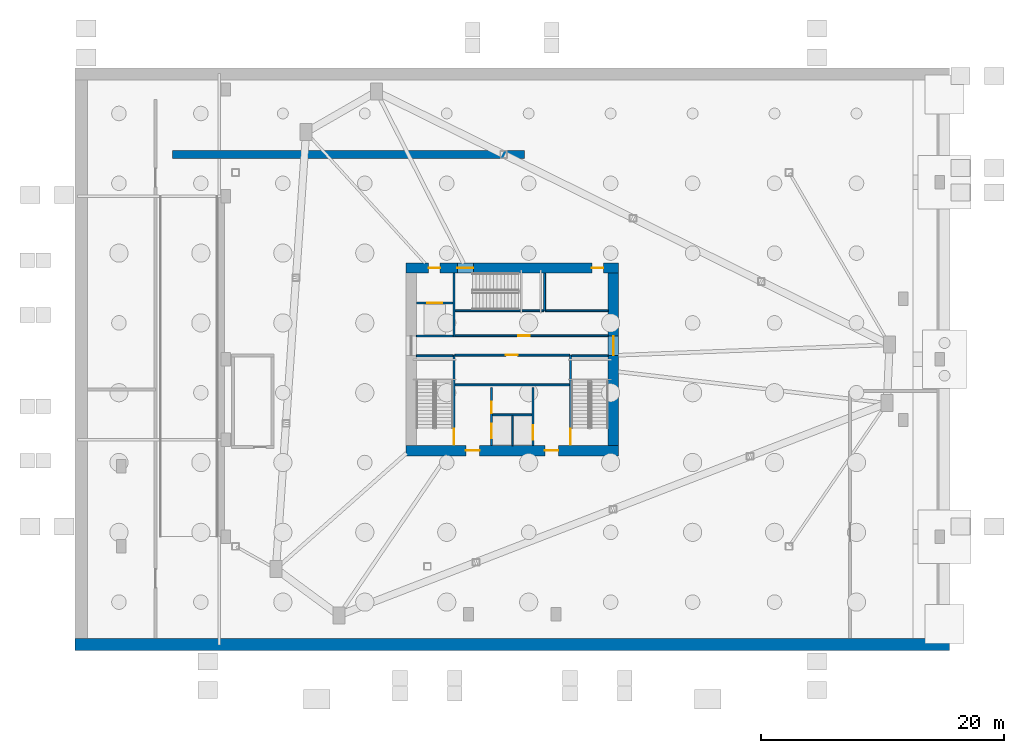
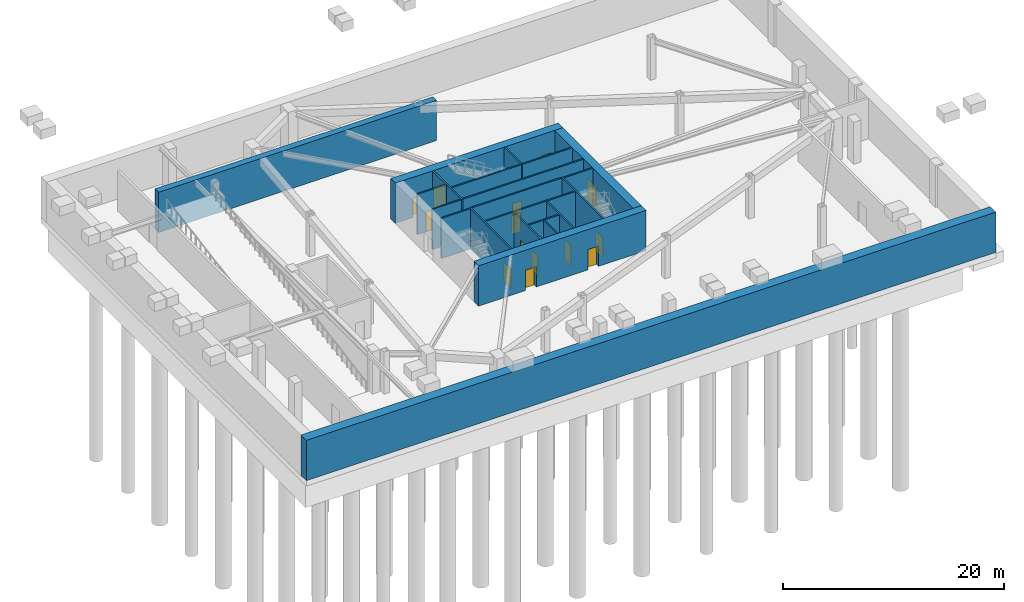
# One storey, part 4 of 9: 22 walls, 14 doors, 14 openings.
"""IFC4 building model written with IfcOpenShell, lengths in metres."""

from ifc_helpers import new_model, si_unit, direction, frame, frame_2d, origin, place, context, subcontext, project, spatial, rectangle, extrude, source, transform, mapped, material, layer, layer_set, type_object, type_shapes, element, fill, save


model = new_model("IFC4")

# Units and contexts
model_context = context("Model", 3, precision=1e-05, world=origin(), true_north=direction((0.0, 1.0)))
body_context = subcontext(model_context, "Body", "Model", "MODEL_VIEW")
ifc_project = project(units=[si_unit("LENGTHUNIT", "METRE"), si_unit("AREAUNIT", "SQUARE_METRE"), si_unit("VOLUMEUNIT", "CUBIC_METRE"), si_unit("PLANEANGLEUNIT", "RADIAN"), si_unit("MASSUNIT", "GRAM", prefix="KILO")], contexts=[model_context])

# Site, building, storey
site_placement = place(None, origin())
site = spatial("IfcSite", under=ifc_project, at=site_placement, CompositionType="ELEMENT")
building_placement = place(site_placement, origin())
building = spatial("IfcBuilding", under=site, at=building_placement, Name="Olszyna Solenne Hotel", CompositionType="ELEMENT")
storey_placement = place(building_placement, frame((0.0, 0.0, -9.60009765625)))
storey = spatial("IfcBuildingStorey", under=building, at=storey_placement, Name="B02", CompositionType="ELEMENT", Elevation=-9.60009765625)

# Wall, openings, doors
ifc_material_1 = material(Name="Concrete C60/75", Category="concrete")
ifc_layer_1 = layer(ifc_material_1, 0.85009765625, Name="Concrete C60/75")
ifc_layer_set_1 = layer_set([ifc_layer_1], Name="Concrete C60/75")
wall_type_1 = type_object("IfcWallType", Name="WL-CR850", PredefinedType="SHEAR", material=ifc_layer_set_1)
wall_1_placement = place(storey_placement, frame((46.75, 19.074951171875, 0.0), z_axis=(0.0, 0.0, 1.0), x_axis=(-1.0, 0.0, 0.0)))
wall_1 = element("IfcWall", 1, at=wall_1_placement, inside=storey, type_object=wall_type_1, Name="Core shear wall WL-CR850 CRW-B02-S", PredefinedType="SHEAR", context=body_context, shape_type="SweptSolid", body=[
    extrude(rectangle(XDim=17.5, YDim=0.85009765625, at=frame_2d((8.75, 0.0))), origin(), (0.0, 0.0, 1.0), 4.4501953125),
])
opening_1_placement = place(wall_1_placement, frame((4.949951171875, 0.0, 0.0)))
opening_1 = element("IfcOpeningElement", 2, at=opening_1_placement, cuts=wall_1, Name="Opening FL-B02-1", PredefinedType="OPENING", context=body_context, shape_type="SweptSolid", body=[
    extrude(rectangle(XDim=1.1201171875, YDim=2.25, at=frame_2d((0.56005859375, 1.125))), frame((0.0, 0.43505859375, 0.0), z_axis=(0.0, -1.0, 0.0), x_axis=(1.0, 0.0, 0.0)), (0.0, 0.0, 1.0), 0.8701171875),
])
opening_2_placement = place(wall_1_placement, frame((11.449951171875, 0.0, 0.0)))
opening_2 = element("IfcOpeningElement", 3, at=opening_2_placement, cuts=wall_1, Name="Opening FL-B02-2", PredefinedType="OPENING", context=body_context, shape_type="SweptSolid", body=[
    extrude(rectangle(XDim=1.1201171875, YDim=2.25, at=frame_2d((0.56005859375, 1.125))), frame((0.0, 0.43505859375, 0.0), z_axis=(0.0, -1.0, 0.0), x_axis=(1.0, 0.0, 0.0)), (0.0, 0.0, 1.0), 0.8701171875),
])
ifc_material_2 = material(Name="Steel S355J2", Category="steel")
door_type_1 = type_object("IfcDoorType", Name="DR-FL1", OperationType="NOTDEFINED", PredefinedType="DOOR", material=ifc_material_2)
shared_shape_1 = source(origin(), body_context, "Body", "SweptSolid", [
    extrude(rectangle(XDim=1.1201171875, YDim=2.25, at=frame_2d((0.56005859375, 1.125))), frame((0.0, 0.02490234375, 0.0), z_axis=(0.0, -1.0, 0.0), x_axis=(1.0, 0.0, 0.0)), (0.0, 0.0, 1.0), 0.050048828125),
])
type_shapes(door_type_1, [shared_shape_1])
door_1_placement = place(opening_1_placement, origin())
door_1 = element("IfcDoor", 4, at=door_1_placement, inside=storey, type_object=door_type_1, Name="Firefighting lift lobby smoke door FL-B02-1", OperationType="SINGLE_SWING_LEFT", OverallHeight=2.25, OverallWidth=1.1201171875, PredefinedType="DOOR", context=body_context, shape_type="MappedRepresentation", body=[
    mapped(shared_shape_1, transform((0.0, 0.0, 0.0), x_axis=(1.0, 0.0, 0.0), y_axis=(0.0, 1.0, 0.0), z_axis=(0.0, 0.0, 1.0), scale=1.0)),
])
fill(opening_1, door_1)
door_2_placement = place(opening_2_placement, origin())
door_2 = element("IfcDoor", 5, at=door_2_placement, inside=storey, type_object=door_type_1, Name="Firefighting lift lobby smoke door FL-B02-2", OperationType="SINGLE_SWING_RIGHT", OverallHeight=2.25, OverallWidth=1.1201171875, PredefinedType="DOOR", context=body_context, shape_type="MappedRepresentation", body=[
    mapped(shared_shape_1, transform((0.0, 0.0, 0.0), x_axis=(1.0, 0.0, 0.0), y_axis=(0.0, 1.0, 0.0), z_axis=(0.0, 0.0, 1.0), scale=1.0)),
])
fill(opening_2, door_2)

wall_2_placement = place(storey_placement, frame((29.25, 34.125, 0.0), z_axis=(0.0, 0.0, 1.0), x_axis=(1.0, 0.0, 0.0)))
wall_2 = element("IfcWall", 6, at=wall_2_placement, inside=storey, type_object=wall_type_1, Name="Core shear wall WL-CR850 CRW-B02-N", PredefinedType="SHEAR", context=body_context, shape_type="SweptSolid", body=[
    extrude(rectangle(XDim=17.5, YDim=0.85009765625, at=frame_2d((8.75, 0.0))), origin(), (0.0, 0.0, 1.0), 4.4501953125),
])
opening_3_placement = place(wall_2_placement, frame((1.85009765625, 0.0, 0.0)))
opening_3 = element("IfcOpeningElement", 7, at=opening_3_placement, cuts=wall_2, Name="Opening SVD-B02-01", PredefinedType="OPENING", context=body_context, shape_type="SweptSolid", body=[
    extrude(rectangle(XDim=0.949951171875, YDim=2.10009765625, at=frame_2d((0.47509765625, 1.050048828125))), frame((0.0, 0.43505859375, 0.0), z_axis=(0.0, -1.0, 0.0), x_axis=(1.0, 0.0, 0.0)), (0.0, 0.0, 1.0), 0.8701171875),
])
opening_4_placement = place(wall_2_placement, frame((4.22998046875, 0.0, 0.0)))
opening_4 = element("IfcOpeningElement", 8, at=opening_4_placement, cuts=wall_2, Name="Opening STD-B02-03", PredefinedType="OPENING", context=body_context, shape_type="SweptSolid", body=[
    extrude(rectangle(XDim=1.320068359375, YDim=2.199951171875, at=frame_2d((0.66015625, 1.10009765625))), frame((0.0, 0.43505859375, 0.0), z_axis=(0.0, -1.0, 0.0), x_axis=(1.0, 0.0, 0.0)), (0.0, 0.0, 1.0), 0.8701171875),
])
opening_5_placement = place(wall_2_placement, frame((15.300048828125, 0.0, 0.0)))
opening_5 = element("IfcOpeningElement", 9, at=opening_5_placement, cuts=wall_2, Name="Opening SVD-B02-BN", PredefinedType="OPENING", context=body_context, shape_type="SweptSolid", body=[
    extrude(rectangle(XDim=0.949951171875, YDim=2.10009765625, at=frame_2d((0.47509765625, 1.050048828125))), frame((0.0, 0.43505859375, 0.0), z_axis=(0.0, -1.0, 0.0), x_axis=(1.0, 0.0, 0.0)), (0.0, 0.0, 1.0), 0.8701171875),
])
door_type_2 = type_object("IfcDoorType", Name="DR-ST1", OperationType="NOTDEFINED", PredefinedType="DOOR", material=ifc_material_2)
shared_shape_2 = source(origin(), body_context, "Body", "SweptSolid", [
    extrude(rectangle(XDim=1.320068359375, YDim=2.199951171875, at=frame_2d((0.66015625, 1.10009765625))), frame((0.0, 0.02490234375, 0.0), z_axis=(0.0, -1.0, 0.0), x_axis=(1.0, 0.0, 0.0)), (0.0, 0.0, 1.0), 0.050048828125),
])
type_shapes(door_type_2, [shared_shape_2])
door_3_placement = place(opening_4_placement, origin())
door_3 = element("IfcDoor", 10, at=door_3_placement, inside=storey, type_object=door_type_2, Name="Pressurised exit stair ST3 fire door STD-B02-03", OperationType="SINGLE_SWING_RIGHT", OverallHeight=2.199951171875, OverallWidth=1.320068359375, PredefinedType="DOOR", context=body_context, shape_type="MappedRepresentation", body=[
    mapped(shared_shape_2, transform((0.0, 0.0, 0.0), x_axis=(1.0, 0.0, 0.0), y_axis=(0.0, 1.0, 0.0), z_axis=(0.0, 0.0, 1.0), scale=1.0)),
])
fill(opening_4, door_3)
door_type_3 = type_object("IfcDoorType", Name="DR-SV1", OperationType="NOTDEFINED", PredefinedType="DOOR", material=ifc_material_2)
shared_shape_3 = source(origin(), body_context, "Body", "SweptSolid", [
    extrude(rectangle(XDim=0.949951171875, YDim=2.10009765625, at=frame_2d((0.47509765625, 1.050048828125))), frame((0.0, 0.02490234375, 0.0), z_axis=(0.0, -1.0, 0.0), x_axis=(1.0, 0.0, 0.0)), (0.0, 0.0, 1.0), 0.050048828125),
])
type_shapes(door_type_3, [shared_shape_3])
door_4_placement = place(opening_3_placement, origin())
door_4 = element("IfcDoor", 11, at=door_4_placement, inside=storey, type_object=door_type_3, Name="Service lift lobby fire door SVD-B02-01", OperationType="SINGLE_SWING_LEFT", OverallHeight=2.10009765625, OverallWidth=0.949951171875, PredefinedType="DOOR", context=body_context, shape_type="MappedRepresentation", body=[
    mapped(shared_shape_3, transform((0.0, 0.0, 0.0), x_axis=(1.0, 0.0, 0.0), y_axis=(0.0, 1.0, 0.0), z_axis=(0.0, 0.0, 1.0), scale=1.0)),
])
fill(opening_3, door_4)
door_5_placement = place(opening_5_placement, origin())
door_5 = element("IfcDoor", 12, at=door_5_placement, inside=storey, type_object=door_type_3, Name="Housekeeping core fire door SVD-B02-BN", OperationType="SINGLE_SWING_LEFT", OverallHeight=2.10009765625, OverallWidth=0.949951171875, PredefinedType="DOOR", context=body_context, shape_type="MappedRepresentation", body=[
    mapped(shared_shape_3, transform((0.0, 0.0, 0.0), x_axis=(1.0, 0.0, 0.0), y_axis=(0.0, 1.0, 0.0), z_axis=(0.0, 0.0, 1.0), scale=1.0)),
])
fill(opening_5, door_5)

# Wall, opening, door
wall_3_placement = place(storey_placement, frame((46.324951171875, 33.699951171875, 0.0), z_axis=(0.0, 0.0, 1.0), x_axis=(0.0, -1.0, 0.0)))
wall_3 = element("IfcWall", 13, at=wall_3_placement, inside=storey, type_object=wall_type_1, Name="Core shear wall WL-CR850 CRW-B02-E", PredefinedType="SHEAR", context=body_context, shape_type="SweptSolid", body=[
    extrude(rectangle(XDim=14.199951171875, YDim=0.85009765625, at=frame_2d((7.10009765625, 0.0))), origin(), (0.0, 0.0, 1.0), 4.4501953125),
])
opening_6_placement = place(wall_3_placement, frame((5.179931640625, 0.0, 0.0)))
opening_6 = element("IfcOpeningElement", 14, at=opening_6_placement, cuts=wall_3, Name="Opening LHD-B02-E", PredefinedType="OPENING", context=body_context, shape_type="SweptSolid", body=[
    extrude(rectangle(XDim=1.60009765625, YDim=2.199951171875, at=frame_2d((0.800048828125, 1.10009765625))), frame((0.0, 0.43505859375, 0.0), z_axis=(0.0, -1.0, 0.0), x_axis=(1.0, 0.0, 0.0)), (0.0, 0.0, 1.0), 0.8701171875),
])
ifc_material_3 = material(Name="Timber hardwood", Category="wood")
door_type_4 = type_object("IfcDoorType", Name="DR-CR1", OperationType="DOUBLE_DOOR_SINGLE_SWING", PredefinedType="DOOR", material=ifc_material_3)
shared_shape_4 = source(origin(), body_context, "Body", "SweptSolid", [
    extrude(rectangle(XDim=1.60009765625, YDim=2.199951171875, at=frame_2d((0.800048828125, 1.10009765625))), frame((0.0, 0.02490234375, 0.0), z_axis=(0.0, -1.0, 0.0), x_axis=(1.0, 0.0, 0.0)), (0.0, 0.0, 1.0), 0.050048828125),
])
type_shapes(door_type_4, [shared_shape_4])
door_6_placement = place(opening_6_placement, origin())
door_6 = element("IfcDoor", 15, at=door_6_placement, inside=storey, type_object=door_type_4, Name="Passenger lift lobby East fire door LHD-B02-E", OperationType="DOUBLE_DOOR_SINGLE_SWING", OverallHeight=2.199951171875, OverallWidth=1.60009765625, PredefinedType="DOOR", context=body_context, shape_type="MappedRepresentation", body=[
    mapped(shared_shape_4, transform((0.0, 0.0, 0.0), x_axis=(1.0, 0.0, 0.0), y_axis=(0.0, 1.0, 0.0), z_axis=(0.0, 0.0, 1.0), scale=1.0)),
])
fill(opening_6, door_6)

# Walls
ifc_material_4 = material(Name="Concrete C40/50", Category="concrete")
ifc_layer_2 = layer(ifc_material_4, 1.0, Name="Concrete C40/50")
ifc_layer_set_2 = layer_set([ifc_layer_2], Name="Concrete C40/50")
wall_type_2 = type_object("IfcWallType", Name="WL-DW1000", PredefinedType="SOLIDWALL", material=ifc_layer_set_2)
wall_4_placement = place(storey_placement, frame((2.0, 3.10009765625, 0.0), z_axis=(0.0, 0.0, 1.0), x_axis=(1.0, 0.0, 0.0)))
element("IfcWall", 16, at=wall_4_placement, inside=storey, type_object=wall_type_2, Name="Perimeter diaphragm wall DW-B02-S", PredefinedType="SOLIDWALL", context=body_context, shape_type="SweptSolid", body=[
    extrude(rectangle(XDim=72.0, YDim=1.0, at=frame_2d((36.0, 0.0))), origin(), (0.0, 0.0, 1.0), 4.4501953125),
])
ifc_material_5 = material(Name="Acoustic gypsum partition", Category="gypsum")
ifc_layer_3 = layer(ifc_material_5, 0.125, Name="Acoustic gypsum partition")
ifc_layer_set_3 = layer_set([ifc_layer_3], Name="Acoustic gypsum partition")
wall_type_3 = type_object("IfcWallType", Name="WL-PT125", PredefinedType="PARTITIONING", material=ifc_layer_set_3)
wall_5_placement = place(storey_placement, frame((38.0, 19.5, 0.0), z_axis=(0.0, 0.0, 1.0), x_axis=(0.0, 1.0, 0.0)))
element("IfcWall", 17, at=wall_5_placement, inside=storey, type_object=wall_type_3, Name="Core shaft compartment wall CW-B02-FFM", PredefinedType="PARTITIONING", context=body_context, shape_type="SweptSolid", body=[
    extrude(rectangle(XDim=2.4599609375, YDim=0.125, at=frame_2d((1.22998046875, 0.0))), origin(), (0.0, 0.0, 1.0), 4.4501953125),
])

# Wall, opening, door
ifc_layer_4 = layer(ifc_material_5, 0.159912109375, Name="Acoustic gypsum partition")
ifc_layer_set_4 = layer_set([ifc_layer_4], Name="Acoustic gypsum partition")
wall_type_4 = type_object("IfcWallType", Name="WL-PT160", PredefinedType="PARTITIONING", material=ifc_layer_set_4)
wall_6_placement = place(storey_placement, frame((33.199951171875, 19.5, 0.0), z_axis=(0.0, 0.0, 1.0), x_axis=(0.0, 1.0, 0.0)))
wall_6 = element("IfcWall", 18, at=wall_6_placement, inside=storey, type_object=wall_type_4, Name="Core shaft compartment wall CW-B02-ST1E", PredefinedType="PARTITIONING", context=body_context, shape_type="SweptSolid", body=[
    extrude(rectangle(XDim=7.4599609375, YDim=0.159912109375, at=frame_2d((3.72998046875, 0.0))), origin(), (0.0, 0.0, 1.0), 4.4501953125),
])
opening_7_placement = place(wall_6_placement, frame((0.080078125, 0.0, 0.0)))
opening_7 = element("IfcOpeningElement", 19, at=opening_7_placement, cuts=wall_6, Name="Opening STD-B02-01", PredefinedType="OPENING", context=body_context, shape_type="SweptSolid", body=[
    extrude(rectangle(XDim=1.320068359375, YDim=2.199951171875, at=frame_2d((0.66015625, 1.10009765625))), frame((0.0, 0.08984375, 0.0), z_axis=(0.0, -1.0, 0.0), x_axis=(1.0, 0.0, 0.0)), (0.0, 0.0, 1.0), 0.179931640625),
])
door_7_placement = place(opening_7_placement, origin())
door_7 = element("IfcDoor", 20, at=door_7_placement, inside=storey, type_object=door_type_2, Name="Pressurised exit stair ST1 fire door STD-B02-01", OperationType="SINGLE_SWING_LEFT", OverallHeight=2.199951171875, OverallWidth=1.320068359375, PredefinedType="DOOR", context=body_context, shape_type="MappedRepresentation", body=[
    mapped(shared_shape_2, transform((0.0, 0.0, 0.0), x_axis=(1.0, 0.0, 0.0), y_axis=(0.0, 1.0, 0.0), z_axis=(0.0, 0.0, 1.0), scale=1.0)),
])
fill(opening_7, door_7)

# Wall
wall_7_placement = place(storey_placement, frame((30.10009765625, 26.8798828125, 0.0), z_axis=(0.0, 0.0, 1.0), x_axis=(1.0, 0.0, 0.0)))
element("IfcWall", 21, at=wall_7_placement, inside=storey, type_object=wall_type_4, Name="Core shaft compartment wall CW-B02-ST1N", PredefinedType="PARTITIONING", context=body_context, shape_type="SweptSolid", body=[
    extrude(rectangle(XDim=3.02001953125, YDim=0.159912109375, at=frame_2d((1.510009765625, 0.0))), origin(), (0.0, 0.0, 1.0), 4.4501953125),
])

# Wall, opening, door
wall_8_placement = place(storey_placement, frame((42.800048828125, 26.9599609375, 0.0), z_axis=(0.0, 0.0, 1.0), x_axis=(0.0, -1.0, 0.0)))
wall_8 = element("IfcWall", 22, at=wall_8_placement, inside=storey, type_object=wall_type_4, Name="Core shaft compartment wall CW-B02-ST2W", PredefinedType="PARTITIONING", context=body_context, shape_type="SweptSolid", body=[
    extrude(rectangle(XDim=7.4599609375, YDim=0.159912109375, at=frame_2d((3.72998046875, 0.0))), origin(), (0.0, 0.0, 1.0), 4.4501953125),
])
opening_8_placement = place(wall_8_placement, frame((6.06005859375, 0.0, 0.0)))
opening_8 = element("IfcOpeningElement", 23, at=opening_8_placement, cuts=wall_8, Name="Opening STD-B02-02", PredefinedType="OPENING", context=body_context, shape_type="SweptSolid", body=[
    extrude(rectangle(XDim=1.320068359375, YDim=2.199951171875, at=frame_2d((0.66015625, 1.10009765625))), frame((0.0, 0.08984375, 0.0), z_axis=(0.0, -1.0, 0.0), x_axis=(1.0, 0.0, 0.0)), (0.0, 0.0, 1.0), 0.179931640625),
])
door_8_placement = place(opening_8_placement, origin())
door_8 = element("IfcDoor", 24, at=door_8_placement, inside=storey, type_object=door_type_2, Name="Pressurised exit stair ST2 fire door STD-B02-02", OperationType="SINGLE_SWING_RIGHT", OverallHeight=2.199951171875, OverallWidth=1.320068359375, PredefinedType="DOOR", context=body_context, shape_type="MappedRepresentation", body=[
    mapped(shared_shape_2, transform((0.0, 0.0, 0.0), x_axis=(1.0, 0.0, 0.0), y_axis=(0.0, 1.0, 0.0), z_axis=(0.0, 0.0, 1.0), scale=1.0)),
])
fill(opening_8, door_8)

# Walls
wall_9_placement = place(storey_placement, frame((42.8798828125, 26.8798828125, 0.0), z_axis=(0.0, 0.0, 1.0), x_axis=(1.0, 0.0, 0.0)))
element("IfcWall", 25, at=wall_9_placement, inside=storey, type_object=wall_type_4, Name="Core shaft compartment wall CW-B02-ST2N", PredefinedType="PARTITIONING", context=body_context, shape_type="SweptSolid", body=[
    extrude(rectangle(XDim=3.02001953125, YDim=0.159912109375, at=frame_2d((1.510009765625, 0.0))), origin(), (0.0, 0.0, 1.0), 4.4501953125),
])
wall_10_placement = place(storey_placement, frame((33.280029296875, 30.60009765625, 0.0), z_axis=(0.0, 0.0, 1.0), x_axis=(1.0, 0.0, 0.0)))
element("IfcWall", 26, at=wall_10_placement, inside=storey, type_object=wall_type_4, Name="Core shaft compartment wall CW-B02-ST3S", PredefinedType="PARTITIONING", context=body_context, shape_type="SweptSolid", body=[
    extrude(rectangle(XDim=7.300048828125, YDim=0.159912109375, at=frame_2d((3.64990234375, 0.0))), origin(), (0.0, 0.0, 1.0), 4.4501953125),
])
wall_11_placement = place(storey_placement, frame((40.659912109375, 30.60009765625, 0.0), z_axis=(0.0, 0.0, 1.0), x_axis=(0.0, 1.0, 0.0)))
element("IfcWall", 27, at=wall_11_placement, inside=storey, type_object=wall_type_4, Name="Core shaft compartment wall CW-B02-ST3E", PredefinedType="PARTITIONING", context=body_context, shape_type="SweptSolid", body=[
    extrude(rectangle(XDim=3.099853515625, YDim=0.159912109375, at=frame_2d((1.5498046875, 0.0))), origin(), (0.0, 0.0, 1.0), 4.4501953125),
])

# Wall, openings, doors
wall_12_placement = place(storey_placement, frame((36.300048828125, 19.5, 0.0), z_axis=(0.0, 0.0, 1.0), x_axis=(0.0, 1.0, 0.0)))
wall_12 = element("IfcWall", 28, at=wall_12_placement, inside=storey, type_object=wall_type_4, Name="Core shaft compartment wall CW-B02-FF1W", PredefinedType="PARTITIONING", context=body_context, shape_type="SweptSolid", body=[
    extrude(rectangle(XDim=4.780029296875, YDim=0.159912109375, at=frame_2d((2.39013671875, 0.0))), origin(), (0.0, 0.0, 1.0), 4.4501953125),
])
opening_9_placement = place(wall_12_placement, frame((0.60009765625, 0.0, 0.0)))
opening_9 = element("IfcOpeningElement", 29, at=opening_9_placement, cuts=wall_12, Name="Opening LD-B02-FF1", PredefinedType="OPENING", context=body_context, shape_type="SweptSolid", body=[
    extrude(rectangle(XDim=1.199951171875, YDim=2.199951171875, at=frame_2d((0.60009765625, 1.10009765625))), frame((0.0, 0.08984375, 0.0), z_axis=(0.0, -1.0, 0.0), x_axis=(1.0, 0.0, 0.0)), (0.0, 0.0, 1.0), 0.179931640625),
])
opening_10_placement = place(wall_12_placement, frame((2.64990234375, 0.0, 0.0)))
opening_10 = element("IfcOpeningElement", 30, at=opening_10_placement, cuts=wall_12, Name="Opening SVD-B02-SMK", PredefinedType="OPENING", context=body_context, shape_type="SweptSolid", body=[
    extrude(rectangle(XDim=0.949951171875, YDim=2.10009765625, at=frame_2d((0.47509765625, 1.050048828125))), frame((0.0, 0.08984375, 0.0), z_axis=(0.0, -1.0, 0.0), x_axis=(1.0, 0.0, 0.0)), (0.0, 0.0, 1.0), 0.179931640625),
])
door_9_placement = place(opening_10_placement, origin())
door_9 = element("IfcDoor", 31, at=door_9_placement, inside=storey, type_object=door_type_3, Name="Valet and core service room door SVD-B02-SMK", OperationType="SINGLE_SWING_LEFT", OverallHeight=2.10009765625, OverallWidth=0.949951171875, PredefinedType="DOOR", context=body_context, shape_type="MappedRepresentation", body=[
    mapped(shared_shape_3, transform((0.0, 0.0, 0.0), x_axis=(1.0, 0.0, 0.0), y_axis=(0.0, 1.0, 0.0), z_axis=(0.0, 0.0, 1.0), scale=1.0)),
])
fill(opening_10, door_9)
door_type_5 = type_object("IfcDoorType", Name="LD-FF1", OperationType="DOUBLE_DOOR_SLIDING", PredefinedType="DOOR", material=ifc_material_2)
shared_shape_5 = source(origin(), body_context, "Body", "SweptSolid", [
    extrude(rectangle(XDim=1.199951171875, YDim=2.199951171875, at=frame_2d((0.60009765625, 1.10009765625))), frame((0.0, 0.02490234375, 0.0), z_axis=(0.0, -1.0, 0.0), x_axis=(1.0, 0.0, 0.0)), (0.0, 0.0, 1.0), 0.050048828125),
])
type_shapes(door_type_5, [shared_shape_5])
door_10_placement = place(opening_9_placement, origin())
door_10 = element("IfcDoor", 32, at=door_10_placement, inside=storey, type_object=door_type_5, Name="Firefighters lift FF1 sliding landing door LD-B02-FF1", OperationType="DOUBLE_DOOR_SLIDING", OverallHeight=2.199951171875, OverallWidth=1.199951171875, PredefinedType="DOOR", context=body_context, shape_type="MappedRepresentation", body=[
    mapped(shared_shape_5, transform((0.0, 0.0, 0.0), x_axis=(1.0, 0.0, 0.0), y_axis=(0.0, 1.0, 0.0), z_axis=(0.0, 0.0, 1.0), scale=1.0)),
])
fill(opening_9, door_10)

# Wall, opening, door
wall_13_placement = place(storey_placement, frame((39.699951171875, 24.280029296875, 0.0), z_axis=(0.0, 0.0, 1.0), x_axis=(0.0, -1.0, 0.0)))
wall_13 = element("IfcWall", 33, at=wall_13_placement, inside=storey, type_object=wall_type_4, Name="Core shaft compartment wall CW-B02-FF2E", PredefinedType="PARTITIONING", context=body_context, shape_type="SweptSolid", body=[
    extrude(rectangle(XDim=4.780029296875, YDim=0.159912109375, at=frame_2d((2.39013671875, 0.0))), origin(), (0.0, 0.0, 1.0), 4.4501953125),
])
opening_11_placement = place(wall_13_placement, frame((3.1201171875, 0.0, 0.0)))
opening_11 = element("IfcOpeningElement", 34, at=opening_11_placement, cuts=wall_13, Name="Opening LD-B02-FF2", PredefinedType="OPENING", context=body_context, shape_type="SweptSolid", body=[
    extrude(rectangle(XDim=1.199951171875, YDim=2.199951171875, at=frame_2d((0.60009765625, 1.10009765625))), frame((0.0, 0.08984375, 0.0), z_axis=(0.0, -1.0, 0.0), x_axis=(1.0, 0.0, 0.0)), (0.0, 0.0, 1.0), 0.179931640625),
])
door_11_placement = place(opening_11_placement, origin())
door_11 = element("IfcDoor", 35, at=door_11_placement, inside=storey, type_object=door_type_5, Name="Firefighters lift FF2 sliding landing door LD-B02-FF2", OperationType="DOUBLE_DOOR_SLIDING", OverallHeight=2.199951171875, OverallWidth=1.199951171875, PredefinedType="DOOR", context=body_context, shape_type="MappedRepresentation", body=[
    mapped(shared_shape_5, transform((0.0, 0.0, 0.0), x_axis=(1.0, 0.0, 0.0), y_axis=(0.0, 1.0, 0.0), z_axis=(0.0, 0.0, 1.0), scale=1.0)),
])
fill(opening_11, door_11)

# Walls
wall_14_placement = place(storey_placement, frame((36.3798828125, 22.02001953125, 0.0), z_axis=(0.0, 0.0, 1.0), x_axis=(1.0, 0.0, 0.0)))
element("IfcWall", 36, at=wall_14_placement, inside=storey, type_object=wall_type_4, Name="Core shaft compartment wall CW-B02-FFN", PredefinedType="PARTITIONING", context=body_context, shape_type="SweptSolid", body=[
    extrude(rectangle(XDim=3.240234375, YDim=0.159912109375, at=frame_2d((1.6201171875, 0.0))), origin(), (0.0, 0.0, 1.0), 4.4501953125),
])
wall_15_placement = place(storey_placement, frame((33.280029296875, 24.489990234375, 0.0), z_axis=(0.0, 0.0, 1.0), x_axis=(1.0, 0.0, 0.0)))
element("IfcWall", 37, at=wall_15_placement, inside=storey, type_object=wall_type_4, Name="Core shaft compartment wall CW-B02-FFBN", PredefinedType="PARTITIONING", context=body_context, shape_type="SweptSolid", body=[
    extrude(rectangle(XDim=9.43994140625, YDim=0.159912109375, at=frame_2d((4.719970703125, 0.0))), origin(), (0.0, 0.0, 1.0), 4.4501953125),
])
wall_16_placement = place(storey_placement, frame((30.10009765625, 28.52001953125, 0.0), z_axis=(0.0, 0.0, 1.0), x_axis=(1.0, 0.0, 0.0)))
element("IfcWall", 38, at=wall_16_placement, inside=storey, type_object=wall_type_4, Name="Core shaft compartment wall CW-B02-SV1S", PredefinedType="PARTITIONING", context=body_context, shape_type="SweptSolid", body=[
    extrude(rectangle(XDim=3.02001953125, YDim=0.159912109375, at=frame_2d((1.510009765625, 0.0))), origin(), (0.0, 0.0, 1.0), 4.4501953125),
])
wall_17_placement = place(storey_placement, frame((33.199951171875, 28.43994140625, 0.0), z_axis=(0.0, 0.0, 1.0), x_axis=(0.0, 1.0, 0.0)))
element("IfcWall", 39, at=wall_17_placement, inside=storey, type_object=wall_type_4, Name="Core shaft compartment wall CW-B02-SV1E", PredefinedType="PARTITIONING", context=body_context, shape_type="SweptSolid", body=[
    extrude(rectangle(XDim=5.260009765625, YDim=0.159912109375, at=frame_2d((2.6298828125, 0.0))), origin(), (0.0, 0.0, 1.0), 4.4501953125),
])

# Wall, opening, door
wall_18_placement = place(storey_placement, frame((30.10009765625, 31.239990234375, 0.0), z_axis=(0.0, 0.0, 1.0), x_axis=(1.0, 0.0, 0.0)))
wall_18 = element("IfcWall", 40, at=wall_18_placement, inside=storey, type_object=wall_type_4, Name="Core shaft compartment wall CW-B02-SV1N", PredefinedType="PARTITIONING", context=body_context, shape_type="SweptSolid", body=[
    extrude(rectangle(XDim=3.02001953125, YDim=0.159912109375, at=frame_2d((1.510009765625, 0.0))), origin(), (0.0, 0.0, 1.0), 4.4501953125),
])
opening_12_placement = place(wall_18_placement, frame((0.909912109375, 0.0, 0.0)))
opening_12 = element("IfcOpeningElement", 41, at=opening_12_placement, cuts=wall_18, Name="Opening LD-B02-SV1", PredefinedType="OPENING", context=body_context, shape_type="SweptSolid", body=[
    extrude(rectangle(XDim=1.199951171875, YDim=2.199951171875, at=frame_2d((0.60009765625, 1.10009765625))), frame((0.0, 0.08984375, 0.0), z_axis=(0.0, -1.0, 0.0), x_axis=(1.0, 0.0, 0.0)), (0.0, 0.0, 1.0), 0.179931640625),
])
door_12_placement = place(opening_12_placement, origin())
door_12 = element("IfcDoor", 42, at=door_12_placement, inside=storey, type_object=door_type_5, Name="Service lift SV1 sliding landing door LD-B02-SV1", OperationType="DOUBLE_DOOR_SLIDING", OverallHeight=2.199951171875, OverallWidth=1.199951171875, PredefinedType="DOOR", context=body_context, shape_type="MappedRepresentation", body=[
    mapped(shared_shape_5, transform((0.0, 0.0, 0.0), x_axis=(1.0, 0.0, 0.0), y_axis=(0.0, 1.0, 0.0), z_axis=(0.0, 0.0, 1.0), scale=1.0)),
])
fill(opening_12, door_12)

wall_19_placement = place(storey_placement, frame((33.280029296875, 26.949951171875, 0.0), z_axis=(0.0, 0.0, 1.0), x_axis=(1.0, 0.0, 0.0)))
wall_19 = element("IfcWall", 43, at=wall_19_placement, inside=storey, type_object=wall_type_4, Name="Core shaft compartment wall CW-B02-LRS", PredefinedType="PARTITIONING", context=body_context, shape_type="SweptSolid", body=[
    extrude(rectangle(XDim=9.43994140625, YDim=0.159912109375, at=frame_2d((4.719970703125, 0.0))), origin(), (0.0, 0.0, 1.0), 4.4501953125),
])
opening_13_placement = place(wall_19_placement, frame((4.199951171875, 0.0, 0.0)))
opening_13 = element("IfcOpeningElement", 44, at=opening_13_placement, cuts=wall_19, Name="Opening SVD-B02-CS1", PredefinedType="OPENING", context=body_context, shape_type="SweptSolid", body=[
    extrude(rectangle(XDim=0.949951171875, YDim=2.10009765625, at=frame_2d((0.47509765625, 1.050048828125))), frame((0.0, 0.08984375, 0.0), z_axis=(0.0, -1.0, 0.0), x_axis=(1.0, 0.0, 0.0)), (0.0, 0.0, 1.0), 0.179931640625),
])
door_13_placement = place(opening_13_placement, origin())
door_13 = element("IfcDoor", 45, at=door_13_placement, inside=storey, type_object=door_type_3, Name="Basement core store door SVD-B02-CS1", OperationType="SINGLE_SWING_LEFT", OverallHeight=2.10009765625, OverallWidth=0.949951171875, PredefinedType="DOOR", context=body_context, shape_type="MappedRepresentation", body=[
    mapped(shared_shape_3, transform((0.0, 0.0, 0.0), x_axis=(1.0, 0.0, 0.0), y_axis=(0.0, 1.0, 0.0), z_axis=(0.0, 0.0, 1.0), scale=1.0)),
])
fill(opening_13, door_13)

wall_20_placement = place(storey_placement, frame((33.280029296875, 28.5400390625, 0.0), z_axis=(0.0, 0.0, 1.0), x_axis=(1.0, 0.0, 0.0)))
wall_20 = element("IfcWall", 46, at=wall_20_placement, inside=storey, type_object=wall_type_4, Name="Core shaft compartment wall CW-B02-LRN", PredefinedType="PARTITIONING", context=body_context, shape_type="SweptSolid", body=[
    extrude(rectangle(XDim=12.619873046875, YDim=0.159912109375, at=frame_2d((6.31005859375, 0.0))), origin(), (0.0, 0.0, 1.0), 4.4501953125),
])
opening_14_placement = place(wall_20_placement, frame((5.199951171875, 0.0, 0.0)))
opening_14 = element("IfcOpeningElement", 47, at=opening_14_placement, cuts=wall_20, Name="Opening SVD-B02-CS2", PredefinedType="OPENING", context=body_context, shape_type="SweptSolid", body=[
    extrude(rectangle(XDim=0.949951171875, YDim=2.10009765625, at=frame_2d((0.47509765625, 1.050048828125))), frame((0.0, 0.08984375, 0.0), z_axis=(0.0, -1.0, 0.0), x_axis=(1.0, 0.0, 0.0)), (0.0, 0.0, 1.0), 0.179931640625),
])
door_14_placement = place(opening_14_placement, origin())
door_14 = element("IfcDoor", 48, at=door_14_placement, inside=storey, type_object=door_type_3, Name="Sprinkler valve room door SVD-B02-CS2", OperationType="SINGLE_SWING_RIGHT", OverallHeight=2.10009765625, OverallWidth=0.949951171875, PredefinedType="DOOR", context=body_context, shape_type="MappedRepresentation", body=[
    mapped(shared_shape_3, transform((0.0, 0.0, 0.0), x_axis=(1.0, 0.0, 0.0), y_axis=(0.0, 1.0, 0.0), z_axis=(0.0, 0.0, 1.0), scale=1.0)),
])
fill(opening_14, door_14)

# Walls
wall_21_placement = place(storey_placement, frame((40.719970703125, 30.60009765625, 0.0), z_axis=(0.0, 0.0, 1.0), x_axis=(1.0, 0.0, 0.0)))
element("IfcWall", 49, at=wall_21_placement, inside=storey, type_object=wall_type_4, Name="Core shaft compartment wall CW-B02-LRNTOP", PredefinedType="PARTITIONING", context=body_context, shape_type="SweptSolid", body=[
    extrude(rectangle(XDim=5.179931640625, YDim=0.159912109375, at=frame_2d((2.58984375, 0.0))), origin(), (0.0, 0.0, 1.0), 4.4501953125),
])
ifc_layer_5 = layer(ifc_material_4, 0.64990234375, Name="Concrete C40/50")
ifc_layer_set_5 = layer_set([ifc_layer_5], Name="Concrete C40/50")
wall_type_5 = type_object("IfcWallType", Name="WL-RW650", PredefinedType="SOLIDWALL", material=ifc_layer_set_5)
wall_22_placement = place(storey_placement, frame((10.0, 43.47509765625, 0.0), z_axis=(0.0, 0.0, 1.0), x_axis=(1.0, 0.0, 0.0)))
element("IfcWall", 50, at=wall_22_placement, inside=storey, type_object=wall_type_5, Name="Basement vehicle-ramp retaining wall RW-B02-01", PredefinedType="SOLIDWALL", context=body_context, shape_type="SweptSolid", body=[
    extrude(rectangle(XDim=29.0, YDim=0.64990234375, at=frame_2d((14.5, 0.0))), origin(), (0.0, 0.0, 1.0), 4.4501953125),
])

save(model, "model.ifc")
